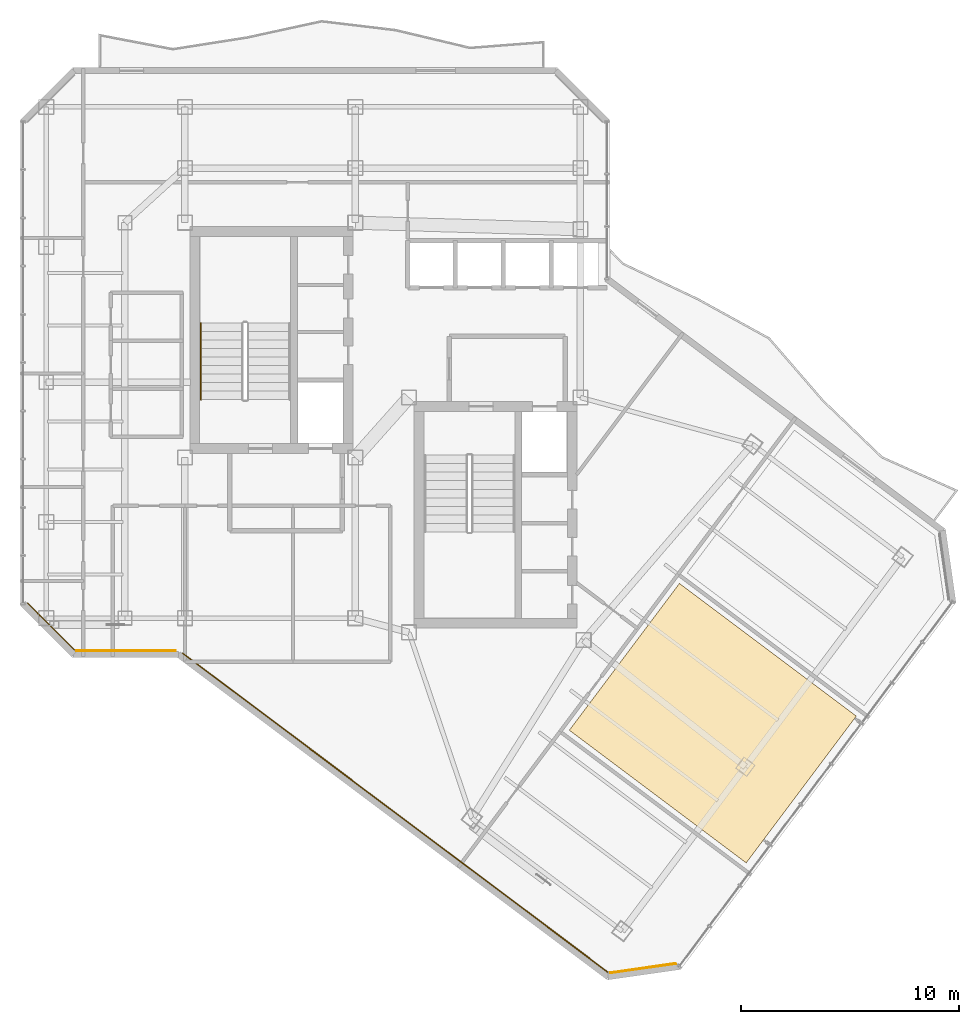
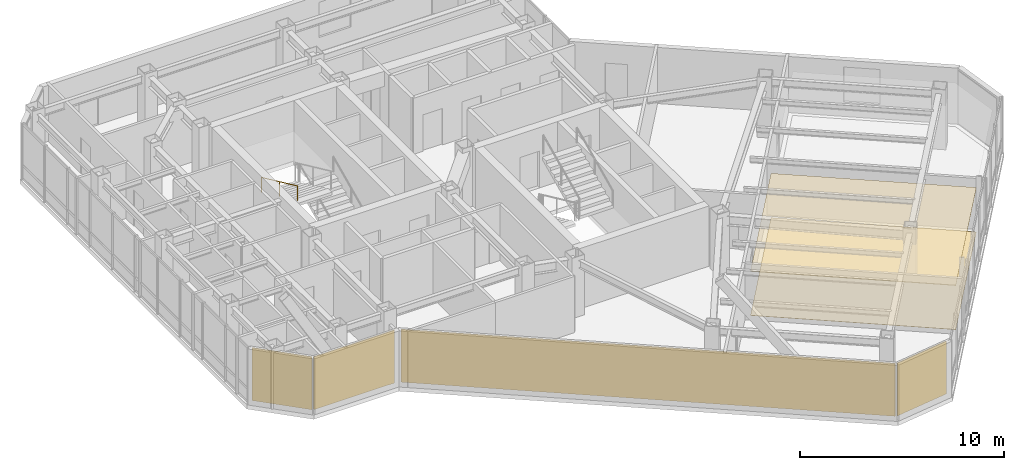
# One storey, part 23 of 26: 6 coverings, 1 railing.
"""IFC4 building model written with IfcOpenShell, lengths in metres."""

from ifc_helpers import new_model, si_unit, direction, frame, origin, origin_2d, place, context, subcontext, project, spatial, polyline, rectangle, circle, outline, extrude, material, layer, layer_set, type_object, element, save


model = new_model("IFC4")

# Units and contexts
model_context = context("Model", 3, precision=1e-05, world=origin(), true_north=direction((0.0, 1.0)))
body_context = subcontext(model_context, "Body", "Model", "MODEL_VIEW")
ifc_project = project(units=[si_unit("LENGTHUNIT", "METRE"), si_unit("AREAUNIT", "SQUARE_METRE"), si_unit("VOLUMEUNIT", "CUBIC_METRE"), si_unit("PLANEANGLEUNIT", "RADIAN"), si_unit("MASSUNIT", "GRAM", prefix="KILO")], contexts=[model_context])

# Site, building, storey
site_placement = place(None, origin())
site = spatial("IfcSite", under=ifc_project, at=site_placement, CompositionType="ELEMENT")
building_placement = place(site_placement, origin())
building = spatial("IfcBuilding", under=site, at=building_placement, Name="Hatsunagi Terrace Concourse", CompositionType="ELEMENT")
storey_placement = place(building_placement, frame((0.0, 0.0, 227.550048828125)))
storey = spatial("IfcBuildingStorey", under=building, at=storey_placement, Name="L60", CompositionType="ELEMENT", Elevation=227.550048828125)

# Covering
ifc_material_1 = material(Name="Hardwood timber", Category="wood")
ifc_layer_1 = layer(ifc_material_1, 0.014892578125)
ifc_layer_set_1 = layer_set([ifc_layer_1], Name="HardwoodTimberFlooring_15")
covering_type_1 = type_object("IfcCoveringType", Name="HardwoodTimberFlooring_15", PredefinedType="FLOORING", material=ifc_layer_set_1)
covering_1_placement = place(storey_placement, origin())
element("IfcCovering", 1, at=covering_1_placement, inside=storey, type_object=covering_type_1, Name="Finished Flooring L60-1", PredefinedType="FLOORING", context=body_context, shape_type="SweptSolid", body=[
    extrude(outline(polyline([(56.27587890625, 20.718017578125), (48.179931640625, 26.7900390625), (43.139892578125, 20.070068359375), (51.236083984375, 13.998046875), (56.27587890625, 20.718017578125)])), origin(), (0.0, 0.0, 1.0), 0.014892578125),
])

# Railing
ifc_material_2 = material(Name="Stainless steel", Category="steel")
ifc_layer_2 = layer(ifc_material_2, 0.044921875)
ifc_layer_set_2 = layer_set([ifc_layer_2], Name="StairPitchHandrail_Tower2000")
railing_type = type_object("IfcRailingType", Name="StairPitchHandrail_Tower2000", PredefinedType="HANDRAIL", material=ifc_layer_set_2)
railing_placement = place(storey_placement, frame((26.280029296875, 38.7099609375, 1.97998046875)))
element("IfcRailing", 2, at=railing_placement, inside=storey, type_object=railing_type, Name="L60 ST-A stair handrail 2", PredefinedType="HANDRAIL", context=body_context, shape_type="SweptSolid", body=[
    extrude(circle(Radius=0.02392578125, at=origin_2d()), frame((0.0, 0.0, 0.8759765625), z_axis=(0.0, -0.907972323039, 0.419030142823), x_axis=(1.0, 0.0, 0.0)), (0.0, 0.0, 1.0), 3.86572265625),
    extrude(circle(Radius=0.02099609375, at=origin_2d()), origin(), (0.0, 0.0, 1.0), 0.851806640625),
    extrude(circle(Radius=0.02099609375, at=origin_2d()), frame((0.0, -1.7548828125, 0.81005859375)), (0.0, 0.0, 1.0), 0.851806640625),
    extrude(circle(Radius=0.02099609375, at=origin_2d()), frame((0.0, -3.510009765625, 1.619873046875)), (0.0, 0.0, 1.0), 0.851806640625),
])

# Coverings
ifc_material_3 = material(Name="Unglazed Warm Terracotta Rainscreen Tile", Category="masonry")
ifc_layer_3 = layer(ifc_material_3, 0.044921875)
ifc_layer_set_3 = layer_set([ifc_layer_3], Name="TerracottaRainscreenCladding_45")
covering_type_2 = type_object("IfcCoveringType", Name="TerracottaRainscreenCladding_45", PredefinedType="CLADDING", material=ifc_layer_set_3)
covering_2_placement = place(storey_placement, frame((46.51806640625, 9.178955078125, 0.10009765625), z_axis=(0.0, 0.0, 1.0), x_axis=(-0.989973920543, -0.141250262458, 0.0)))
element("IfcCovering", 3, at=covering_2_placement, inside=storey, type_object=covering_type_2, Name="Terracotta Rainscreen Cladding L60-04", PredefinedType="CLADDING", context=body_context, shape_type="SweptSolid", body=[
    extrude(rectangle(XDim=3.0380859375, YDim=0.044921875, at=origin_2d()), origin(), (0.0, 0.0, 1.0), 3.14990234375),
])
covering_3_placement = place(storey_placement, frame((35.179931640625, 16.29296875, 0.10009765625), z_axis=(0.0, 0.0, 1.0), x_axis=(-0.800005211305, 0.599993051531, 0.0)))
element("IfcCovering", 4, at=covering_3_placement, inside=storey, type_object=covering_type_2, Name="Terracotta Rainscreen Cladding L60-05", PredefinedType="CLADDING", context=body_context, shape_type="SweptSolid", body=[
    extrude(rectangle(XDim=24.34912109375, YDim=0.044921875, at=origin_2d()), origin(), (0.0, 0.0, 1.0), 3.14990234375),
])
covering_4_placement = place(storey_placement, frame((22.85205078125, 23.701904296875, 0.10009765625), z_axis=(0.0, 0.0, 1.0), x_axis=(-1.0, 0.0, 0.0)))
element("IfcCovering", 5, at=covering_4_placement, inside=storey, type_object=covering_type_2, Name="Terracotta Rainscreen Cladding L60-06", PredefinedType="CLADDING", context=body_context, shape_type="SweptSolid", body=[
    extrude(rectangle(XDim=4.549072265625, YDim=0.044921875, at=origin_2d()), origin(), (0.0, 0.0, 1.0), 3.14990234375),
])
covering_5_placement = place(storey_placement, frame((19.4140625, 24.81396484375, 0.10009765625), z_axis=(0.0, 0.0, 1.0), x_axis=(-0.707106781187, 0.707106781187, 0.0)))
element("IfcCovering", 6, at=covering_5_placement, inside=storey, type_object=covering_type_2, Name="Terracotta Rainscreen Cladding L60-07", PredefinedType="CLADDING", context=body_context, shape_type="SweptSolid", body=[
    extrude(rectangle(XDim=3.0380859375, YDim=0.044921875, at=origin_2d()), origin(), (0.0, 0.0, 1.0), 3.14990234375),
])
ifc_material_4 = material(Name="Hardwood timber", Category="wood")
ifc_layer_4 = layer(ifc_material_4, 0.034912109375)
ifc_layer_set_4 = layer_set([ifc_layer_4], Name="TimberBaffleCeiling_35")
covering_type_3 = type_object("IfcCoveringType", Name="TimberBaffleCeiling_35", PredefinedType="CEILING", material=ifc_layer_set_4)
covering_6_placement = place(storey_placement, frame((0.0, 0.0, 2.6298828125)))
element("IfcCovering", 7, at=covering_6_placement, inside=storey, type_object=covering_type_3, Name="Suspended Ceiling L60-1", PredefinedType="CEILING", context=body_context, shape_type="SweptSolid", body=[
    extrude(outline(polyline([(56.27587890625, 20.718017578125), (48.179931640625, 26.7900390625), (43.139892578125, 20.070068359375), (51.236083984375, 13.998046875), (56.27587890625, 20.718017578125)])), origin(), (0.0, 0.0, 1.0), 0.03515625),
])

save(model, "model.ifc")
